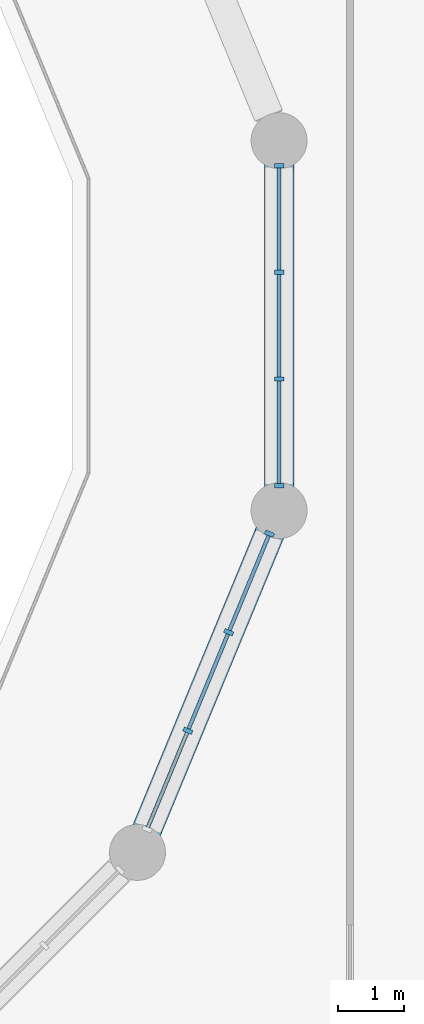
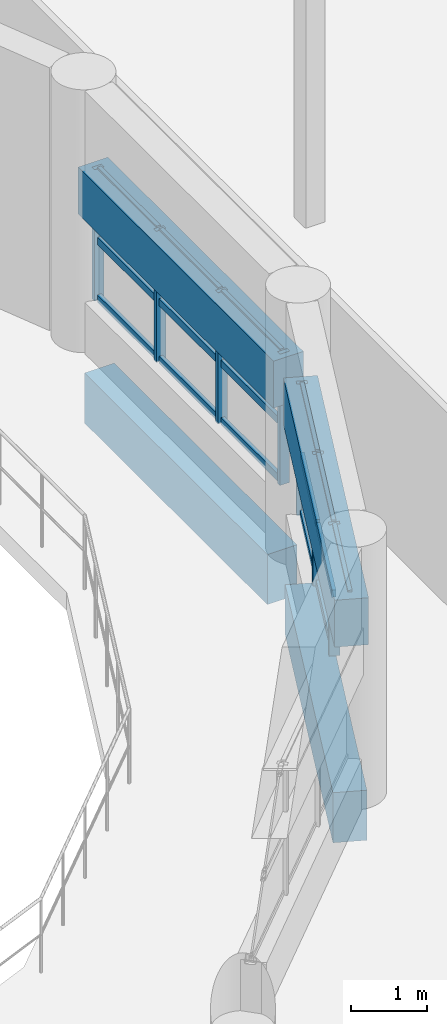
# One storey, part 23 of 63: 23 members, 4 beams, 2 elements without a shape of their own.
"""IFC4 building model written with IfcOpenShell, lengths in metres."""

from ifc_helpers import new_model, si_unit, direction, frame, origin, origin_2d, place, context, subcontext, project, spatial, rectangle, extrude, material, material_profile, profile_set, type_object, element, aggregate, save


model = new_model("IFC4")

# Units and contexts
model_context = context("Model", 3, precision=1e-05, world=origin(), true_north=direction((0.0, 1.0)))
body_context = subcontext(model_context, "Body", "Model", "MODEL_VIEW")
ifc_project = project(units=[si_unit("LENGTHUNIT", "METRE"), si_unit("AREAUNIT", "SQUARE_METRE"), si_unit("VOLUMEUNIT", "CUBIC_METRE"), si_unit("PLANEANGLEUNIT", "RADIAN"), si_unit("MASSUNIT", "GRAM", prefix="KILO")], contexts=[model_context])

# Site, building, storey
site_placement = place(None, origin())
site = spatial("IfcSite", under=ifc_project, at=site_placement, CompositionType="ELEMENT")
building_placement = place(site_placement, origin())
building = spatial("IfcBuilding", under=site, at=building_placement, Name="Qiaolan Assembly House", CompositionType="ELEMENT")
storey_placement = place(building_placement, frame((0.0, 0.0, 14.39990234375)))
storey = spatial("IfcBuildingStorey", under=building, at=storey_placement, Name="L03", CompositionType="ELEMENT", Elevation=14.39990234375)

# Beams
ifc_material_1 = material(Name="Concrete C40/50", Category="concrete")
ifc_material_profile_1 = material_profile(ifc_material_1, rectangle(XDim=0.449951171875, YDim=0.75, at=origin_2d()), Name="RCB 450x750")
ifc_profile_set_1 = profile_set([ifc_material_profile_1], Name="Concrete C40/50")
beam_type_1 = type_object("IfcBeamType", Name="BM-RC-450x750", PredefinedType="BEAM", material=ifc_profile_set_1)
for number, where, z_axis, x_axis, name in (
    (1, (82.427734375, 58.15966796875, 2.525146484375), (-0.38271124984, -0.923868009645, 0.0), (0.923868009645, -0.38271124984, 0.0), "GB-04 drum clerestory lintel beam 15 L03"),
    (2, (82.523193359375, 63.75927734375, 2.525146484375), (0.0, -1.0, 0.0), (1.0, 0.0, 0.0), "GB-04 drum clerestory lintel beam 16 L03"),
):
    element("IfcBeam", number, at=place(storey_placement, frame(where, z_axis=z_axis, x_axis=x_axis)), inside=storey, type_object=beam_type_1, Name=name, PredefinedType="BEAM", context=body_context, shape_type="SweptSolid", body=[
        extrude(rectangle(XDim=0.449951171875, YDim=0.75, at=origin_2d()), origin(), (0.0, 0.0, 1.0), 5.11865234375),
    ])
ifc_material_profile_2 = material_profile(ifc_material_1, rectangle(XDim=0.449951171875, YDim=0.800048828125, at=origin_2d()), Name="RCB 450x800")
ifc_profile_set_2 = profile_set([ifc_material_profile_2], Name="Concrete C40/50")
beam_type_2 = type_object("IfcBeamType", Name="BM-RC-450x800", PredefinedType="BEAM", material=ifc_profile_set_2)
for number, where, z_axis, x_axis, name in (
    (3, (80.531982421875, 53.583251953125, -0.68994140625), (0.38268500057, 0.923878882938, 0.0), (-0.923878882938, 0.38268500057, 0.0), "GB-03 beam BM-DRUM-L03-14"),
    (4, (82.523193359375, 58.8056640625, -0.68994140625), (0.0, 1.0, 0.0), (-1.0, 0.0, 0.0), "GB-03 beam BM-DRUM-L03-15"),
):
    element("IfcBeam", number, at=place(storey_placement, frame(where, z_axis=z_axis, x_axis=x_axis)), inside=storey, type_object=beam_type_2, Name=name, PredefinedType="BEAM", context=body_context, shape_type="SweptSolid", body=[
        extrude(rectangle(XDim=0.449951171875, YDim=0.800048828125, at=origin_2d()), origin(), (0.0, 0.0, 1.0), 4.78857421875),
    ])

# Curtain wall, members
ifc_material_2 = material(Name="Anodised bronze aluminium", Category="aluminium")
curtain_wall_type = type_object("IfcCurtainWallType", Name="CW-DRUM-CLERESTORY", PredefinedType="NOTDEFINED", material=ifc_material_2)
curtain_wall_1_placement = place(storey_placement, origin())
curtain_wall_1 = element("IfcCurtainWall", 5, at=curtain_wall_1_placement, inside=storey, type_object=curtain_wall_type, Name="CW-06 Council Chamber Drum Clerestory Curtain Wall 15", PredefinedType="NOTDEFINED")
ifc_material_profile_3 = material_profile(ifc_material_2, rectangle(XDim=0.06591796875, YDim=0.14501953125, at=origin_2d()), Name="MUL 66x145")
ifc_profile_set_3 = profile_set([ifc_material_profile_3], Name="Anodised bronze aluminium")
member_type_1 = type_object("IfcMemberType", Name="CW-DRUM-CLERESTORY-MUL", PredefinedType="MULLION", material=ifc_profile_set_3)
member_1_placement = place(storey_placement, frame((82.3779296875, 58.03955078125, 0.800048828125), z_axis=(0.0, 0.0, 1.0), x_axis=(-0.382683415031, -0.923879539691, 0.0)))
member_1 = element("IfcMember", 6, at=member_1_placement, type_object=member_type_1, Name="ML-07 mullion CW-DRUM-CLER-14-1", PredefinedType="MULLION", context=body_context, shape_type="SweptSolid", body=[
    extrude(rectangle(XDim=0.06591796875, YDim=0.14501953125, at=origin_2d()), origin(), (0.0, 0.0, 1.0), 2.10009765625),
])
member_2_placement = place(storey_placement, frame((81.758056640625, 56.54345703125, 0.800048828125), z_axis=(0.0, 0.0, 1.0), x_axis=(-0.382683415031, -0.923879539691, 0.0)))
member_2 = element("IfcMember", 7, at=member_2_placement, type_object=member_type_1, Name="ML-07 mullion CW-DRUM-CLER-14-2", PredefinedType="MULLION", context=body_context, shape_type="SweptSolid", body=[
    extrude(rectangle(XDim=0.06591796875, YDim=0.14501953125, at=origin_2d()), origin(), (0.0, 0.0, 1.0), 2.10009765625),
])
member_3_placement = place(storey_placement, frame((81.138427734375, 55.047119140625, 0.800048828125), z_axis=(0.0, 0.0, 1.0), x_axis=(-0.382683415031, -0.923879539691, 0.0)))
member_3 = element("IfcMember", 8, at=member_3_placement, type_object=member_type_1, Name="ML-07 mullion CW-DRUM-CLER-14-3", PredefinedType="MULLION", context=body_context, shape_type="SweptSolid", body=[
    extrude(rectangle(XDim=0.06591796875, YDim=0.14501953125, at=origin_2d()), origin(), (0.0, 0.0, 1.0), 2.10009765625),
])

curtain_wall_2_placement = place(storey_placement, origin())
curtain_wall_2 = element("IfcCurtainWall", 9, at=curtain_wall_2_placement, inside=storey, type_object=curtain_wall_type, Name="CW-06 Council Chamber Drum Clerestory Curtain Wall 16", PredefinedType="NOTDEFINED")
member_4_placement = place(storey_placement, frame((82.523193359375, 63.62939453125, 0.800048828125), z_axis=(0.0, 0.0, 1.0), x_axis=(0.0, -1.0, 0.0)))
member_4 = element("IfcMember", 10, at=member_4_placement, type_object=member_type_1, Name="ML-07 mullion CW-DRUM-CLER-15-1", PredefinedType="MULLION", context=body_context, shape_type="SweptSolid", body=[
    extrude(rectangle(XDim=0.06591796875, YDim=0.14501953125, at=origin_2d()), origin(), (0.0, 0.0, 1.0), 2.10009765625),
])
member_5_placement = place(storey_placement, frame((82.523193359375, 62.009765625, 0.800048828125), z_axis=(0.0, 0.0, 1.0), x_axis=(0.0, -1.0, 0.0)))
member_5 = element("IfcMember", 11, at=member_5_placement, type_object=member_type_1, Name="ML-07 mullion CW-DRUM-CLER-15-2", PredefinedType="MULLION", context=body_context, shape_type="SweptSolid", body=[
    extrude(rectangle(XDim=0.06591796875, YDim=0.14501953125, at=origin_2d()), origin(), (0.0, 0.0, 1.0), 2.10009765625),
])
member_6_placement = place(storey_placement, frame((82.523193359375, 60.39013671875, 0.800048828125), z_axis=(0.0, 0.0, 1.0), x_axis=(0.0, -1.0, 0.0)))
member_6 = element("IfcMember", 12, at=member_6_placement, type_object=member_type_1, Name="ML-07 mullion CW-DRUM-CLER-15-3", PredefinedType="MULLION", context=body_context, shape_type="SweptSolid", body=[
    extrude(rectangle(XDim=0.06591796875, YDim=0.14501953125, at=origin_2d()), origin(), (0.0, 0.0, 1.0), 2.10009765625),
])
member_7_placement = place(storey_placement, frame((82.523193359375, 58.770751953125, 0.800048828125), z_axis=(0.0, 0.0, 1.0), x_axis=(0.0, -1.0, 0.0)))
member_7 = element("IfcMember", 13, at=member_7_placement, type_object=member_type_1, Name="ML-07 mullion CW-DRUM-CLER-15-4", PredefinedType="MULLION", context=body_context, shape_type="SweptSolid", body=[
    extrude(rectangle(XDim=0.06591796875, YDim=0.14501953125, at=origin_2d()), origin(), (0.0, 0.0, 1.0), 2.10009765625),
])

# Member
ifc_material_profile_4 = material_profile(ifc_material_2, rectangle(XDim=0.05810546875, YDim=0.114990234375, at=origin_2d()), Name="TRN 58x115")
ifc_profile_set_4 = profile_set([ifc_material_profile_4], Name="Anodised bronze aluminium")
member_type_2 = type_object("IfcMemberType", Name="CW-DRUM-CLERESTORY-TRN", PredefinedType="USERDEFINED", material=ifc_profile_set_4)
member_8_placement = place(storey_placement, frame((82.365234375, 58.009033203125, 0.830078125), z_axis=(-0.382717330676, -0.923865490643, 0.0), x_axis=(0.923865490643, -0.382717330676, 0.0)))
member_8 = element("IfcMember", 14, at=member_8_placement, type_object=member_type_2, Name="TR-07 transom CW-DRUM-CLER-14-1-1", ObjectType="TRANSOM", PredefinedType="USERDEFINED", context=body_context, shape_type="SweptSolid", body=[
    extrude(rectangle(XDim=0.05810546875, YDim=0.114990234375, at=origin_2d()), origin(), (0.0, 0.0, 1.0), 1.55322265625),
])

member_9_placement = place(storey_placement, frame((82.365234375, 58.009033203125, 1.75), z_axis=(-0.382717330676, -0.923865490643, 0.0), x_axis=(0.923865490643, -0.382717330676, 0.0)))
member_9 = element("IfcMember", 15, at=member_9_placement, type_object=member_type_2, Name="TR-07 transom CW-DRUM-CLER-14-1-2", ObjectType="TRANSOM", PredefinedType="USERDEFINED", context=body_context, shape_type="SweptSolid", body=[
    extrude(rectangle(XDim=0.05810546875, YDim=0.114990234375, at=origin_2d()), origin(), (0.0, 0.0, 1.0), 1.55322265625),
])

member_10_placement = place(storey_placement, frame((82.365234375, 58.009033203125, 2.8701171875), z_axis=(-0.382717330676, -0.923865490643, 0.0), x_axis=(0.923865490643, -0.382717330676, 0.0)))
member_10 = element("IfcMember", 16, at=member_10_placement, type_object=member_type_2, Name="TR-07 transom CW-DRUM-CLER-14-1-3", ObjectType="TRANSOM", PredefinedType="USERDEFINED", context=body_context, shape_type="SweptSolid", body=[
    extrude(rectangle(XDim=0.05810546875, YDim=0.114990234375, at=origin_2d()), origin(), (0.0, 0.0, 1.0), 1.55322265625),
])

member_11_placement = place(storey_placement, frame((81.74560546875, 56.512939453125, 0.830078125), z_axis=(-0.382795891724, -0.9238329423, 0.0), x_axis=(0.9238329423, -0.382795891724, 0.0)))
member_11 = element("IfcMember", 17, at=member_11_placement, type_object=member_type_2, Name="TR-07 transom CW-DRUM-CLER-14-2-1", ObjectType="TRANSOM", PredefinedType="USERDEFINED", context=body_context, shape_type="SweptSolid", body=[
    extrude(rectangle(XDim=0.05810546875, YDim=0.114990234375, at=origin_2d()), origin(), (0.0, 0.0, 1.0), 1.5537109375),
])

member_12_placement = place(storey_placement, frame((81.74560546875, 56.512939453125, 1.75), z_axis=(-0.382795891724, -0.9238329423, 0.0), x_axis=(0.9238329423, -0.382795891724, 0.0)))
member_12 = element("IfcMember", 18, at=member_12_placement, type_object=member_type_2, Name="TR-07 transom CW-DRUM-CLER-14-2-2", ObjectType="TRANSOM", PredefinedType="USERDEFINED", context=body_context, shape_type="SweptSolid", body=[
    extrude(rectangle(XDim=0.05810546875, YDim=0.114990234375, at=origin_2d()), origin(), (0.0, 0.0, 1.0), 1.5537109375),
])

member_13_placement = place(storey_placement, frame((81.74560546875, 56.512939453125, 2.8701171875), z_axis=(-0.382795891724, -0.9238329423, 0.0), x_axis=(0.9238329423, -0.382795891724, 0.0)))
member_13 = element("IfcMember", 19, at=member_13_placement, type_object=member_type_2, Name="TR-07 transom CW-DRUM-CLER-14-2-3", ObjectType="TRANSOM", PredefinedType="USERDEFINED", context=body_context, shape_type="SweptSolid", body=[
    extrude(rectangle(XDim=0.05810546875, YDim=0.114990234375, at=origin_2d()), origin(), (0.0, 0.0, 1.0), 1.5537109375),
])

member_14_placement = place(storey_placement, frame((81.125732421875, 55.0166015625, 2.8701171875), z_axis=(-0.382661764772, -0.923888507225, 0.0), x_axis=(0.923888507225, -0.382661764772, 0.0)))
member_14 = element("IfcMember", 20, at=member_14_placement, type_object=member_type_2, Name="TR-07 transom CW-DRUM-CLER-14-3-3", ObjectType="TRANSOM", PredefinedType="USERDEFINED", context=body_context, shape_type="SweptSolid", body=[
    extrude(rectangle(XDim=0.05810546875, YDim=0.114990234375, at=origin_2d()), origin(), (0.0, 0.0, 1.0), 1.553466796875),
])

aggregate(curtain_wall_1, [member_1, member_2, member_3, member_8, member_9, member_10, member_11, member_12, member_13, member_14])

member_15_placement = place(storey_placement, frame((82.523193359375, 63.59619140625, 0.830078125), z_axis=(0.0, -1.0, 0.0), x_axis=(1.0, 0.0, 0.0)))
member_15 = element("IfcMember", 21, at=member_15_placement, type_object=member_type_2, Name="TR-07 transom CW-DRUM-CLER-15-1-1", ObjectType="TRANSOM", PredefinedType="USERDEFINED", context=body_context, shape_type="SweptSolid", body=[
    extrude(rectangle(XDim=0.05810546875, YDim=0.114990234375, at=origin_2d()), origin(), (0.0, 0.0, 1.0), 1.553466796875),
])

member_16_placement = place(storey_placement, frame((82.523193359375, 63.59619140625, 1.75), z_axis=(0.0, -1.0, 0.0), x_axis=(1.0, 0.0, 0.0)))
member_16 = element("IfcMember", 22, at=member_16_placement, type_object=member_type_2, Name="TR-07 transom CW-DRUM-CLER-15-1-2", ObjectType="TRANSOM", PredefinedType="USERDEFINED", context=body_context, shape_type="SweptSolid", body=[
    extrude(rectangle(XDim=0.05810546875, YDim=0.114990234375, at=origin_2d()), origin(), (0.0, 0.0, 1.0), 1.553466796875),
])

member_17_placement = place(storey_placement, frame((82.523193359375, 63.59619140625, 2.8701171875), z_axis=(0.0, -1.0, 0.0), x_axis=(1.0, 0.0, 0.0)))
member_17 = element("IfcMember", 23, at=member_17_placement, type_object=member_type_2, Name="TR-07 transom CW-DRUM-CLER-15-1-3", ObjectType="TRANSOM", PredefinedType="USERDEFINED", context=body_context, shape_type="SweptSolid", body=[
    extrude(rectangle(XDim=0.05810546875, YDim=0.114990234375, at=origin_2d()), origin(), (0.0, 0.0, 1.0), 1.553466796875),
])

member_18_placement = place(storey_placement, frame((82.523193359375, 61.976806640625, 0.830078125), z_axis=(0.0, -1.0, 0.0), x_axis=(1.0, 0.0, 0.0)))
member_18 = element("IfcMember", 24, at=member_18_placement, type_object=member_type_2, Name="TR-07 transom CW-DRUM-CLER-15-2-1", ObjectType="TRANSOM", PredefinedType="USERDEFINED", context=body_context, shape_type="SweptSolid", body=[
    extrude(rectangle(XDim=0.05810546875, YDim=0.114990234375, at=origin_2d()), origin(), (0.0, 0.0, 1.0), 1.5537109375),
])

member_19_placement = place(storey_placement, frame((82.523193359375, 61.976806640625, 1.75), z_axis=(0.0, -1.0, 0.0), x_axis=(1.0, 0.0, 0.0)))
member_19 = element("IfcMember", 25, at=member_19_placement, type_object=member_type_2, Name="TR-07 transom CW-DRUM-CLER-15-2-2", ObjectType="TRANSOM", PredefinedType="USERDEFINED", context=body_context, shape_type="SweptSolid", body=[
    extrude(rectangle(XDim=0.05810546875, YDim=0.114990234375, at=origin_2d()), origin(), (0.0, 0.0, 1.0), 1.5537109375),
])

member_20_placement = place(storey_placement, frame((82.523193359375, 61.976806640625, 2.8701171875), z_axis=(0.0, -1.0, 0.0), x_axis=(1.0, 0.0, 0.0)))
member_20 = element("IfcMember", 26, at=member_20_placement, type_object=member_type_2, Name="TR-07 transom CW-DRUM-CLER-15-2-3", ObjectType="TRANSOM", PredefinedType="USERDEFINED", context=body_context, shape_type="SweptSolid", body=[
    extrude(rectangle(XDim=0.05810546875, YDim=0.114990234375, at=origin_2d()), origin(), (0.0, 0.0, 1.0), 1.5537109375),
])

member_21_placement = place(storey_placement, frame((82.523193359375, 60.357177734375, 0.830078125), z_axis=(0.0, -1.0, 0.0), x_axis=(1.0, 0.0, 0.0)))
member_21 = element("IfcMember", 27, at=member_21_placement, type_object=member_type_2, Name="TR-07 transom CW-DRUM-CLER-15-3-1", ObjectType="TRANSOM", PredefinedType="USERDEFINED", context=body_context, shape_type="SweptSolid", body=[
    extrude(rectangle(XDim=0.05810546875, YDim=0.114990234375, at=origin_2d()), origin(), (0.0, 0.0, 1.0), 1.553466796875),
])

member_22_placement = place(storey_placement, frame((82.523193359375, 60.357177734375, 1.75), z_axis=(0.0, -1.0, 0.0), x_axis=(1.0, 0.0, 0.0)))
member_22 = element("IfcMember", 28, at=member_22_placement, type_object=member_type_2, Name="TR-07 transom CW-DRUM-CLER-15-3-2", ObjectType="TRANSOM", PredefinedType="USERDEFINED", context=body_context, shape_type="SweptSolid", body=[
    extrude(rectangle(XDim=0.05810546875, YDim=0.114990234375, at=origin_2d()), origin(), (0.0, 0.0, 1.0), 1.553466796875),
])

member_23_placement = place(storey_placement, frame((82.523193359375, 60.357177734375, 2.8701171875), z_axis=(0.0, -1.0, 0.0), x_axis=(1.0, 0.0, 0.0)))
member_23 = element("IfcMember", 29, at=member_23_placement, type_object=member_type_2, Name="TR-07 transom CW-DRUM-CLER-15-3-3", ObjectType="TRANSOM", PredefinedType="USERDEFINED", context=body_context, shape_type="SweptSolid", body=[
    extrude(rectangle(XDim=0.05810546875, YDim=0.114990234375, at=origin_2d()), origin(), (0.0, 0.0, 1.0), 1.553466796875),
])

aggregate(curtain_wall_2, [member_4, member_5, member_6, member_7, member_15, member_16, member_17, member_18, member_19, member_20, member_21, member_22, member_23])

save(model, "model.ifc")
